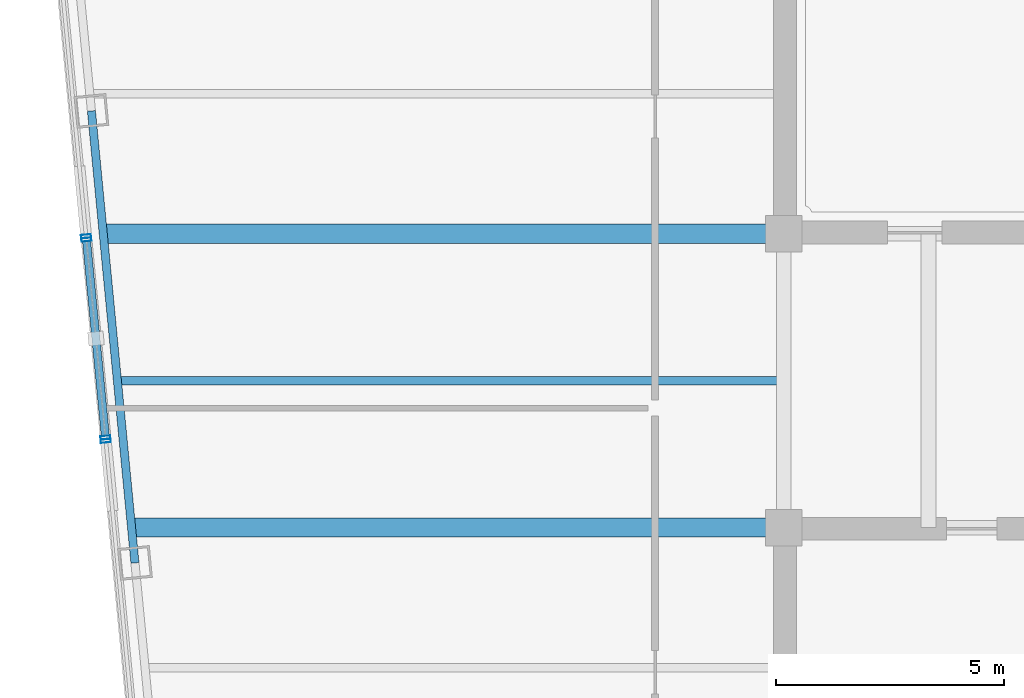
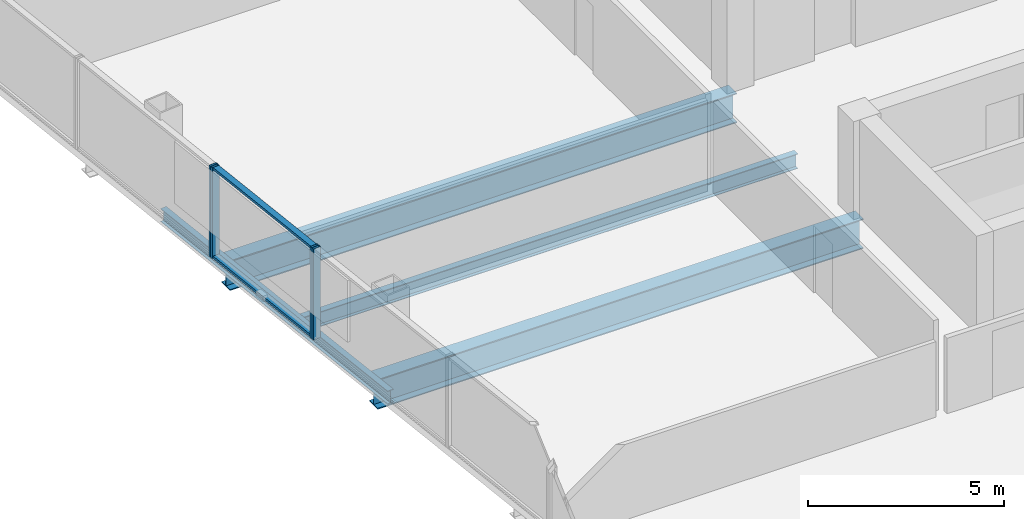
# One storey, part 6 of 22: 6 members, 4 beams, 3 elements without a shape of their own.
"""IFC4 building model written with IfcOpenShell, lengths in metres."""

from ifc_helpers import new_model, si_unit, direction, frame, origin, origin_2d, place, context, subcontext, project, spatial, hollow_rectangle, i_section, extrude, material, layer, layer_set, material_profile, profile_set, type_object, element, aggregate, save


model = new_model("IFC4")

# Units and contexts
model_context = context("Model", 3, precision=1e-05, world=origin(), true_north=direction((0.0, 1.0)))
body_context = subcontext(model_context, "Body", "Model", "MODEL_VIEW")
ifc_project = project(units=[si_unit("LENGTHUNIT", "METRE"), si_unit("AREAUNIT", "SQUARE_METRE"), si_unit("VOLUMEUNIT", "CUBIC_METRE"), si_unit("PLANEANGLEUNIT", "RADIAN"), si_unit("MASSUNIT", "GRAM", prefix="KILO")], contexts=[model_context])

# Site, building, storey
site_placement = place(None, origin())
site = spatial("IfcSite", under=ifc_project, at=site_placement, CompositionType="ELEMENT")
building_placement = place(site_placement, origin())
building = spatial("IfcBuilding", under=site, at=building_placement, Name="Qhalaya Broadcast Tower", CompositionType="ELEMENT")
storey_placement = place(building_placement, frame((0.0, 0.0, 171.39990234375)))
storey = spatial("IfcBuildingStorey", under=building, at=storey_placement, Name="L50", CompositionType="ELEMENT", Elevation=171.39990234375)

# Beams
ifc_material_1 = material(Name="Structural Steel ASTM A992 Grade 50", Category="steel")
ifc_material_profile_1 = material_profile(ifc_material_1, i_section(OverallWidth=0.19189453125, OverallDepth=0.462890625, WebThickness=0.010498046875, FlangeThickness=0.017578125, at=origin_2d()), Name="W18X60")
ifc_profile_set_1 = profile_set([ifc_material_profile_1], Name="Structural Steel ASTM A992 Grade 50")
beam_type_1 = type_object("IfcBeamType", Name="Composite Floor Joist J03", PredefinedType="JOIST", material=ifc_profile_set_1)
beam_1_placement = place(storey_placement, frame((-23.982421875, 0.60009765625, -0.451416015625), z_axis=(1.0, 0.0, 0.0), x_axis=(0.0, 1.0, 0.0)))
element("IfcBeam", 1, at=beam_1_placement, inside=storey, type_object=beam_type_1, Name="L50 J03 L50-JWE4W-1", PredefinedType="JOIST", context=body_context, shape_type="SweptSolid", body=[
    extrude(i_section(OverallWidth=0.19189453125, OverallDepth=0.462890625, WebThickness=0.010498046875, FlangeThickness=0.017578125, at=origin_2d()), origin(), (0.0, 0.0, 1.0), 14.607421875),
])
ifc_material_profile_2 = material_profile(ifc_material_1, i_section(OverallWidth=0.4189453125, OverallDepth=0.927001953125, WebThickness=0.019287109375, FlangeThickness=0.031982421875, at=origin_2d()), Name="W36X231")
ifc_profile_set_2 = profile_set([ifc_material_profile_2], Name="Structural Steel ASTM A992 Grade 50")
beam_type_2 = type_object("IfcBeamType", Name="Mid Block Primary Girder PG3", PredefinedType="USERDEFINED", material=ifc_profile_set_2)
beam_2_placement = place(storey_placement, frame((-23.671875, -2.625, -0.683349609375), z_axis=(1.0, 0.0, 0.0), x_axis=(0.0, 1.0, 0.0)))
element("IfcBeam", 2, at=beam_2_placement, inside=storey, type_object=beam_type_2, Name="L50 PG3 L50-PGYW2-1", ObjectType="GIRDER", PredefinedType="USERDEFINED", context=body_context, shape_type="SweptSolid", body=[
    extrude(i_section(OverallWidth=0.4189453125, OverallDepth=0.927001953125, WebThickness=0.019287109375, FlangeThickness=0.031982421875, at=origin_2d()), origin(), (0.0, 0.0, 1.0), 14.296875),
])
beam_3_placement = place(storey_placement, frame((-24.29296875, 3.824951171875, -0.683349609375), z_axis=(1.0, 0.0, 0.0), x_axis=(0.0, 1.0, 0.0)))
element("IfcBeam", 3, at=beam_3_placement, inside=storey, type_object=beam_type_2, Name="L50 PG3 L50-PGYW3-1", ObjectType="GIRDER", PredefinedType="USERDEFINED", context=body_context, shape_type="SweptSolid", body=[
    extrude(i_section(OverallWidth=0.4189453125, OverallDepth=0.927001953125, WebThickness=0.019287109375, FlangeThickness=0.031982421875, at=origin_2d()), origin(), (0.0, 0.0, 1.0), 14.91796875),
])

# Curtain wall, member
ifc_material_2 = material(Name="Fired Architectural Terracotta", Category="masonry")
ifc_layer_1 = layer(ifc_material_2, 0.219970703125, Name="Fired Architectural Terracotta")
ifc_layer_set_1 = layer_set([ifc_layer_1], Name="Fired Architectural Terracotta")
curtain_wall_type_1 = type_object("IfcCurtainWallType", Name="Block-Cap Unitised Terracotta Spandrel Wall CW-07", PredefinedType="NOTDEFINED", material=ifc_layer_set_1)
curtain_wall_1_placement = place(storey_placement, origin())
curtain_wall_1 = element("IfcCurtainWall", 4, at=curtain_wall_1_placement, inside=storey, type_object=curtain_wall_type_1, Name="L50 Unitised Curtain Wall L50-CW-W3", PredefinedType="NOTDEFINED")
ifc_material_3 = material(Name="Anodised Aluminium 6063-T6", Category="aluminium")
ifc_material_profile_3 = material_profile(ifc_material_3, hollow_rectangle(XDim=0.074951171875, YDim=0.219970703125, WallThickness=0.00390625, at=origin_2d()), Name="ALU-MUL 75x220x4")
ifc_profile_set_3 = profile_set([ifc_material_profile_3], Name="Anodised Aluminium 6063-T6")
member_type_1 = type_object("IfcMemberType", Name="Unitised Curtain-Wall Mullion M01", PredefinedType="MULLION", material=ifc_profile_set_3)
member_1_placement = place(storey_placement, frame((-24.689453125, 3.7705078125, 0.0), z_axis=(0.0, 0.0, 1.0), x_axis=(0.095850920361, -0.995395700747, 0.0)))
member_1 = element("IfcMember", 5, at=member_1_placement, type_object=member_type_1, Name="CW-07 mullion 2", PredefinedType="MULLION", context=body_context, shape_type="SweptSolid", body=[
    extrude(hollow_rectangle(XDim=0.074951171875, YDim=0.219970703125, WallThickness=0.00390625, at=origin_2d()), origin(), (0.0, 0.0, 1.0), 2.830078125),
])
aggregate(curtain_wall_1, [member_1])

# Curtain wall, members
ifc_material_4 = material(Name="Solar-Control Low-E Triple Glazing", Category="glass")
ifc_layer_2 = layer(ifc_material_4, 0.219970703125, Name="Solar-Control Low-E Triple Glazing")
ifc_layer_set_2 = layer_set([ifc_layer_2], Name="Solar-Control Low-E Triple Glazing")
curtain_wall_type_2 = type_object("IfcCurtainWallType", Name="Even-Block 4-Storey Double-Module Curtain Wall CW-03", PredefinedType="NOTDEFINED", material=ifc_layer_set_2)
curtain_wall_2_placement = place(storey_placement, origin())
curtain_wall_2 = element("IfcCurtainWall", 6, at=curtain_wall_2_placement, inside=storey, type_object=curtain_wall_type_2, Name="L50 Unitised Curtain Wall L50-CW-W4", PredefinedType="NOTDEFINED")
member_2_placement = place(storey_placement, frame((-24.682373046875, 3.69580078125, 0.0), z_axis=(0.0, 0.0, 1.0), x_axis=(0.095855381625, -0.995395271143, 0.0)))
member_2 = element("IfcMember", 7, at=member_2_placement, type_object=member_type_1, Name="CW-03 mullion 1", PredefinedType="MULLION", context=body_context, shape_type="SweptSolid", body=[
    extrude(hollow_rectangle(XDim=0.074951171875, YDim=0.219970703125, WallThickness=0.00390625, at=origin_2d()), origin(), (0.0, 0.0, 1.0), 2.830078125),
])
member_3_placement = place(storey_placement, frame((-24.26416015625, -0.64697265625, 0.0), z_axis=(0.0, 0.0, 1.0), x_axis=(0.095855381625, -0.995395271143, 0.0)))
member_3 = element("IfcMember", 8, at=member_3_placement, type_object=member_type_1, Name="CW-03 mullion 2", PredefinedType="MULLION", context=body_context, shape_type="SweptSolid", body=[
    extrude(hollow_rectangle(XDim=0.074951171875, YDim=0.219970703125, WallThickness=0.00390625, at=origin_2d()), origin(), (0.0, 0.0, 1.0), 2.830078125),
])

# Curtain wall, member
curtain_wall_3_placement = place(storey_placement, origin())
curtain_wall_3 = element("IfcCurtainWall", 9, at=curtain_wall_3_placement, inside=storey, type_object=curtain_wall_type_1, Name="L50 Unitised Curtain Wall L50-CW-W5", PredefinedType="NOTDEFINED")
member_4_placement = place(storey_placement, frame((-24.2568359375, -0.7216796875, 0.0), z_axis=(0.0, 0.0, 1.0), x_axis=(0.095849311193, -0.9953958557, 0.0)))
member_4 = element("IfcMember", 10, at=member_4_placement, type_object=member_type_1, Name="CW-07 mullion 1", PredefinedType="MULLION", context=body_context, shape_type="SweptSolid", body=[
    extrude(hollow_rectangle(XDim=0.074951171875, YDim=0.219970703125, WallThickness=0.00390625, at=origin_2d()), origin(), (0.0, 0.0, 1.0), 2.830078125),
])
aggregate(curtain_wall_3, [member_4])

# Member
ifc_material_profile_4 = material_profile(ifc_material_3, hollow_rectangle(XDim=0.074951171875, YDim=0.179931640625, WallThickness=0.00390625, at=origin_2d()), Name="ALU-TRN 75x180x4")
ifc_profile_set_4 = profile_set([ifc_material_profile_4], Name="Anodised Aluminium 6063-T6")
member_type_2 = type_object("IfcMemberType", Name="Unitised Curtain-Wall Transom T01", PredefinedType="USERDEFINED", material=ifc_profile_set_4)
member_5_placement = place(storey_placement, frame((-24.6787109375, 3.658447265625, 0.03759765625), z_axis=(0.095878390713, -0.995393055127, 0.0), x_axis=(0.0, 0.0, 1.0)))
member_5 = element("IfcMember", 11, at=member_5_placement, type_object=member_type_2, Name="CW-03 transom 1.1", ObjectType="TRANSOM", PredefinedType="USERDEFINED", context=body_context, shape_type="SweptSolid", body=[
    extrude(hollow_rectangle(XDim=0.074951171875, YDim=0.179931640625, WallThickness=0.00390625, at=origin_2d()), origin(), (0.0, 0.0, 1.0), 4.2880859375),
])

member_6_placement = place(storey_placement, frame((-24.6787109375, 3.658447265625, 2.79248046875), z_axis=(0.095878390713, -0.995393055127, 0.0), x_axis=(0.0, 0.0, 1.0)))
member_6 = element("IfcMember", 12, at=member_6_placement, type_object=member_type_2, Name="CW-03 transom 1.2", ObjectType="TRANSOM", PredefinedType="USERDEFINED", context=body_context, shape_type="SweptSolid", body=[
    extrude(hollow_rectangle(XDim=0.074951171875, YDim=0.179931640625, WallThickness=0.00390625, at=origin_2d()), origin(), (0.0, 0.0, 1.0), 4.2880859375),
])

aggregate(curtain_wall_2, [member_2, member_3, member_5, member_6])

# Beam
ifc_material_profile_5 = material_profile(ifc_material_1, i_section(OverallWidth=0.177978515625, OverallDepth=0.406005859375, WebThickness=0.0078125, FlangeThickness=0.0126953125, at=origin_2d()), Name="W16X40")
ifc_profile_set_5 = profile_set([ifc_material_profile_5], Name="Structural Steel ASTM A992 Grade 50")
beam_type_3 = type_object("IfcBeamType", Name="Upper Perimeter Spandrel Beam SP2", PredefinedType="SPANDREL", material=ifc_profile_set_5)
beam_4_placement = place(storey_placement, frame((-24.572509765625, 6.521240234375, -0.4228515625), z_axis=(0.095850563819, -0.99539573508, 0.0), x_axis=(0.99539573508, 0.095850563819, 0.0)))
element("IfcBeam", 13, at=beam_4_placement, inside=storey, type_object=beam_type_3, Name="L50 SP2 L50-SPR-14", PredefinedType="SPANDREL", context=body_context, shape_type="SweptSolid", body=[
    extrude(i_section(OverallWidth=0.177978515625, OverallDepth=0.406005859375, WebThickness=0.0078125, FlangeThickness=0.0126953125, at=origin_2d()), origin(), (0.0, 0.0, 1.0), 9.966796875),
])

save(model, "model.ifc")
